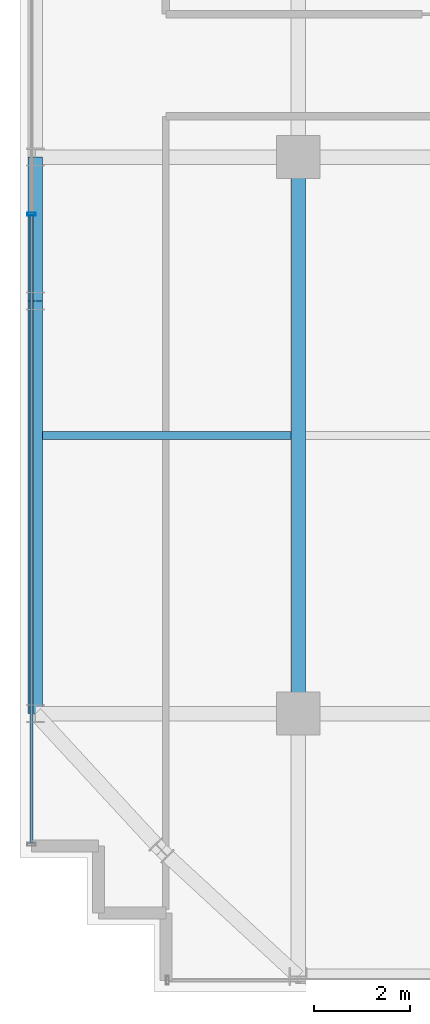
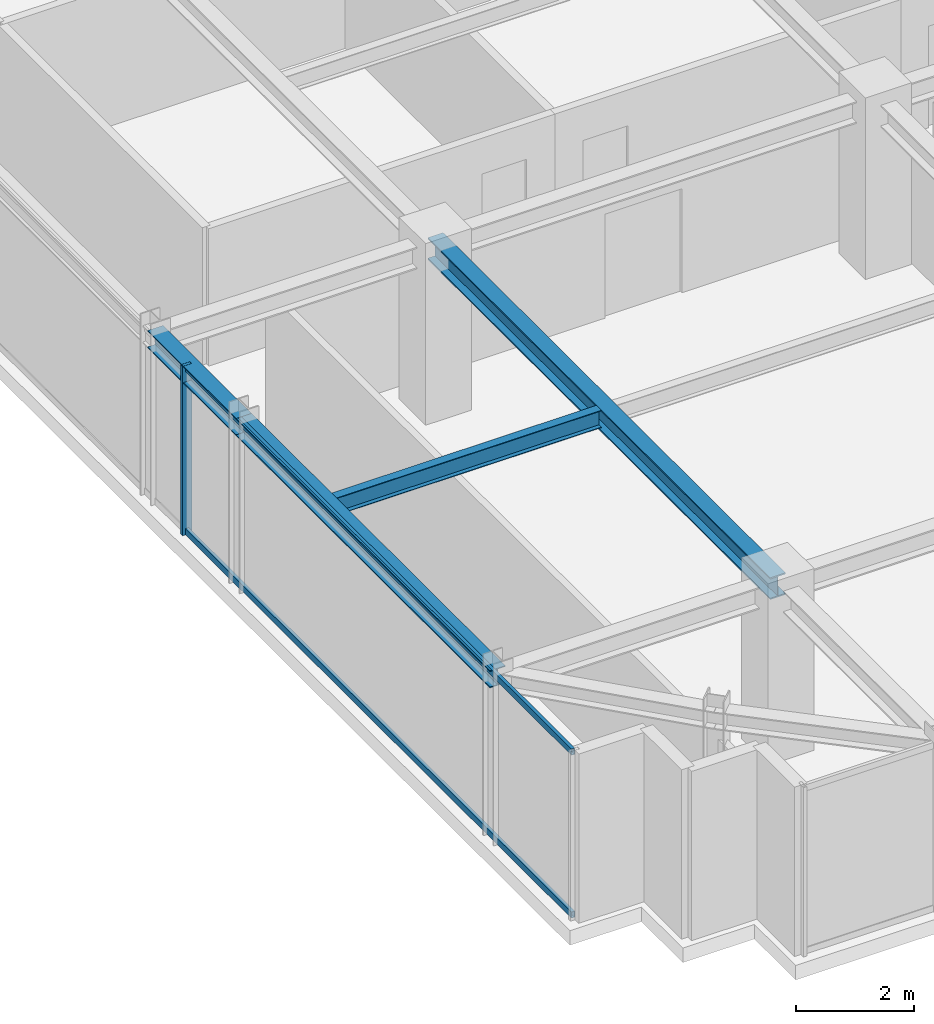
# One storey, part 6 of 31: 4 beams, 3 members, 1 element without a shape of its own.
"""IFC4 building model written with IfcOpenShell, lengths in metres."""

import ifcopenshell
import ifcopenshell.guid

model = None  # the IFC model being written
_history = None  # IfcOwnerHistory: only IFC2X3 demands one
_inside = {}  # id of a spatial element -> (the spatial element, [elements in it])
_under = {}  # id of a project, library or spatial element -> (it, [spatial elements below it])
_declared = {}  # id of a project -> (the project, [libraries it declares])
_typed = {}  # id of a type object -> (the type object, [elements of that type])
_made_of = {}  # id of a material, layer set ... -> (it, [elements and type objects made of it])


def new_model(schema):
    """Start an empty IFC model of exactly this schema.

    Asked for "IFC4X3", IfcOpenShell would pick the latest addendum, in which some entities
    have other attributes; the version numbers below select the first issue.
    IFC2X3 requires an IfcOwnerHistory on every rooted entity: one is made here for all.
    """
    global model, _history
    if schema == "IFC4X3":
        model = ifcopenshell.file(schema_version=(4, 3, 0, 0))
    else:
        model = ifcopenshell.file(schema=schema)
    _inside.clear()
    _under.clear()
    _declared.clear()
    _typed.clear()
    _made_of.clear()
    _history = None
    if model.schema == "IFC2X3":
        org = make("IfcOrganization", Name="unknown")
        user = make(
            "IfcPersonAndOrganization",
            ThePerson=make("IfcPerson", FamilyName="unknown"),
            TheOrganization=org,
        )
        app = make(
            "IfcApplication",
            ApplicationDeveloper=org,
            Version="unknown",
            ApplicationFullName="unknown",
            ApplicationIdentifier="unknown",
        )
        _history = make(
            "IfcOwnerHistory",
            OwningUser=user,
            OwningApplication=app,
            ChangeAction="ADDED",
            CreationDate=0,
        )
    return model


def make(cls, **values):
    """One entity of the class cls with the attributes given. An attribute that is None is left unset."""
    return model.create_entity(
        cls, **{name: value for name, value in values.items() if value is not None}
    )


def rooted(cls, **values):
    """An entity with a GlobalId (a new one), such as an element, a storey or a relation."""
    return make(cls, GlobalId=ifcopenshell.guid.new(), OwnerHistory=_history, **values)


def si_unit(unit_type, name, prefix=None):
    """IfcSIUnit, for example si_unit("LENGTHUNIT", "METRE", prefix="MILLI")."""
    return make("IfcSIUnit", UnitType=unit_type, Prefix=prefix, Name=name)


def assignment(units):
    """IfcUnitAssignment: the units of a project."""
    return None if units is None else make("IfcUnitAssignment", Units=units)


def point(xyz):
    """IfcCartesianPoint."""
    return None if xyz is None else make("IfcCartesianPoint", Coordinates=xyz)


def direction(xyz):
    """IfcDirection."""
    return None if xyz is None else make("IfcDirection", DirectionRatios=xyz)


def frame(location, z_axis=None, x_axis=None):
    """IfcAxis2Placement3D, a coordinate frame: its origin and axes. An axis left out is left unset."""
    return make(
        "IfcAxis2Placement3D",
        Location=point(location),
        Axis=direction(z_axis),
        RefDirection=direction(x_axis),
    )


def frame_2d(location, x_axis=None):
    """IfcAxis2Placement2D, a coordinate frame in the plane: its origin and x axis."""
    return make(
        "IfcAxis2Placement2D", Location=point(location), RefDirection=direction(x_axis)
    )


def origin():
    """The frame at (0, 0, 0) with its axes left unset."""
    return frame((0.0, 0.0, 0.0))


def origin_2d():
    """The frame at (0, 0) in the plane with its x axis left unset."""
    return frame_2d((0.0, 0.0))


def place(relative_to, where):
    """IfcLocalPlacement: puts the frame where relative to a parent placement (None: the world)."""
    return make(
        "IfcLocalPlacement", PlacementRelTo=relative_to, RelativePlacement=where
    )


def context(
    kind, dimensions, precision=None, world=None, true_north=None, identifier=None
):
    """IfcGeometricRepresentationContext, for example the 3D "Model" context."""
    return make(
        "IfcGeometricRepresentationContext",
        ContextIdentifier=identifier,
        ContextType=kind,
        CoordinateSpaceDimension=dimensions,
        Precision=precision,
        WorldCoordinateSystem=world,
        TrueNorth=true_north,
    )


def subcontext(parent, identifier, kind, view, scale=None):
    """IfcGeometricRepresentationSubContext, for example "Body" below "Model"."""
    return make(
        "IfcGeometricRepresentationSubContext",
        ContextIdentifier=identifier,
        ContextType=kind,
        ParentContext=parent,
        TargetScale=scale,
        TargetView=view,
    )


def project(units=None, contexts=None):
    """IfcProject with its units and contexts."""
    return rooted(
        "IfcProject",
        Name="project",
        RepresentationContexts=contexts,
        UnitsInContext=assignment(units),
    )


def spatial(cls, under=None, at=None, **own):
    """A site, building, storey or space (cls), placed at a placement, below another one or the project."""
    s = rooted(cls, ObjectPlacement=at, **own)
    if under is not None:
        _under.setdefault(under.id(), (under, []))[1].append(s)
    return s


def profile(cls, at=None, kind="AREA", **sizes):
    """A parametric profile (cls). Its sizes go by their IFC names, for example OverallWidth=200.0."""
    return make(cls, ProfileType=kind, Position=at, **sizes)


def hollow_rectangle(**sizes):
    """IfcRectangleHollowProfileDef."""
    return profile("IfcRectangleHollowProfileDef", **sizes)


def i_section(**sizes):
    """IfcIShapeProfileDef."""
    return profile("IfcIShapeProfileDef", **sizes)


def extrude(swept, where, along, depth):
    """IfcExtrudedAreaSolid: the profile swept, set in the frame where, extruded along a direction by depth."""
    return make(
        "IfcExtrudedAreaSolid",
        SweptArea=swept,
        Position=where,
        ExtrudedDirection=direction(along),
        Depth=depth,
    )


def shape(context_of_items, identifier, shape_type, items):
    """IfcShapeRepresentation: the items that make up one representation, for example the "Body"."""
    return make(
        "IfcShapeRepresentation",
        ContextOfItems=context_of_items,
        RepresentationIdentifier=identifier,
        RepresentationType=shape_type,
        Items=items,
    )


def source(mapping_origin, context_of_items, identifier, shape_type, items):
    """IfcRepresentationMap: a shape defined once, which mapped items show again and again."""
    return make(
        "IfcRepresentationMap",
        MappingOrigin=mapping_origin,
        MappedRepresentation=shape(context_of_items, identifier, shape_type, items),
    )


def transform(
    local_origin,
    x_axis=None,
    y_axis=None,
    z_axis=None,
    scale=None,
    scale2=None,
    scale3=None,
    uniform=True,
):
    """IfcCartesianTransformationOperator3D, or its non-uniform kind. x_axis, y_axis, z_axis: its Axis1, 2, 3."""
    if uniform:
        return make(
            "IfcCartesianTransformationOperator3D",
            Axis1=direction(x_axis),
            Axis2=direction(y_axis),
            LocalOrigin=point(local_origin),
            Scale=scale,
            Axis3=direction(z_axis),
        )
    return make(
        "IfcCartesianTransformationOperator3DnonUniform",
        Axis1=direction(x_axis),
        Axis2=direction(y_axis),
        LocalOrigin=point(local_origin),
        Scale=scale,
        Axis3=direction(z_axis),
        Scale2=scale2,
        Scale3=scale3,
    )


def mapped(mapping_source, mapping_target):
    """IfcMappedItem: shows the shape of a source again, moved by a transform."""
    return make(
        "IfcMappedItem", MappingSource=mapping_source, MappingTarget=mapping_target
    )


def material(Name=None, Category=None):
    """IfcMaterial."""
    return make("IfcMaterial", Name=Name, Category=Category)


def material_profile(
    of_material, cross_section, Name=None, Category=None, Priority=None
):
    """IfcMaterialProfile: a cross section and its material."""
    return make(
        "IfcMaterialProfile",
        Name=Name,
        Material=of_material,
        Profile=cross_section,
        Priority=Priority,
        Category=Category,
    )


def profile_set(profiles, Name=None, composite=None):
    """IfcMaterialProfileSet."""
    return make(
        "IfcMaterialProfileSet",
        Name=Name,
        MaterialProfiles=profiles,
        CompositeProfile=composite,
    )


def made_of(thing, what):
    """Note that an element or type object is made of a material, layer set ...; save() writes the relation."""
    if what is not None:
        _made_of.setdefault(what.id(), (what, []))[1].append(thing)
    return thing


def type_object(cls, material=None, **own):
    """A type object (cls), such as IfcWallType, which elements share."""
    return made_of(rooted(cls, **own), material)


def element(
    cls,
    number,
    at=None,
    inside=None,
    cuts=None,
    type_object=None,
    material=None,
    context=None,
    identifier="Body",
    shape_type=None,
    held_by="IfcProductDefinitionShape",
    body=None,
    shapes=None,
    **own,
):
    """One element of the class cls, such as IfcWall. Its Tag is "e" and its number.

    at: its placement. inside: the storey or other place that contains it. cuts: it is an
    opening in that element (IfcRelVoidsElement). A single representation is given by context,
    identifier, shape_type and body (its items); several are given by shapes. held_by: the class
    of the entity that holds the representations. save() writes the other relations.
    """
    e = rooted(cls, Tag="e%d" % number, ObjectPlacement=at, **own)
    if body is not None:
        shapes = [shape(context, identifier, shape_type, body)]
    if shapes is not None:
        e.Representation = make(held_by, Representations=shapes)
    if inside is not None:
        _inside.setdefault(inside.id(), (inside, []))[1].append(e)
    if cuts is not None:
        rooted(
            "IfcRelVoidsElement", RelatingBuildingElement=cuts, RelatedOpeningElement=e
        )
    if type_object is not None:
        _typed.setdefault(type_object.id(), (type_object, []))[1].append(e)
    return made_of(e, material)


def aggregate(whole, parts):
    """IfcRelAggregates: a whole, such as a stair, and the parts it consists of."""
    return rooted("IfcRelAggregates", RelatingObject=whole, RelatedObjects=parts)


def save(model, path):
    """Write the relations noted so far, then the file.

    IfcRelAggregates (storeys below a building ...), IfcRelContainedInSpatialStructure (elements
    in a storey), IfcRelDefinesByType, IfcRelAssociatesMaterial and IfcRelDeclares: one each for
    every whole, place, type object, material and project.
    """
    for whole, parts in _under.values():
        aggregate(whole, parts)
    for where, things in _inside.values():
        rooted(
            "IfcRelContainedInSpatialStructure",
            RelatedElements=things,
            RelatingStructure=where,
        )
    for kind, things in _typed.values():
        rooted("IfcRelDefinesByType", RelatedObjects=things, RelatingType=kind)
    for what, things in _made_of.values():
        rooted("IfcRelAssociatesMaterial", RelatedObjects=things, RelatingMaterial=what)
    for by, libraries in _declared.values():
        rooted("IfcRelDeclares", RelatingContext=by, RelatedDefinitions=libraries)
    model.write(path)


model = new_model("IFC4")

# Units and contexts
model_context = context("Model", 3, precision=1e-05, world=origin(), true_north=direction((0.0, 1.0)))
body_context = subcontext(model_context, "Body", "Model", "MODEL_VIEW")
ifc_project = project(units=[si_unit("LENGTHUNIT", "METRE"), si_unit("AREAUNIT", "SQUARE_METRE"), si_unit("VOLUMEUNIT", "CUBIC_METRE"), si_unit("PLANEANGLEUNIT", "RADIAN"), si_unit("MASSUNIT", "GRAM", prefix="KILO")], contexts=[model_context])

# Site, building, storey
site_placement = place(None, origin())
site = spatial("IfcSite", under=ifc_project, at=site_placement, CompositionType="ELEMENT")
building_placement = place(site_placement, origin())
building = spatial("IfcBuilding", under=site, at=building_placement, Name="Nahalor Promenade Grand Hotel", CompositionType="ELEMENT")
storey_placement = place(building_placement, frame((0.0, 0.0, 327.14990234375)))
storey = spatial("IfcBuildingStorey", under=building, at=storey_placement, Name="L84", CompositionType="ELEMENT", Elevation=327.14990234375)

# Beams
ifc_material_1 = material(Name="Steel S355JR", Category="steel")
ifc_material_profile_1 = material_profile(ifc_material_1, i_section(OverallWidth=0.3, OverallDepth=0.45, WebThickness=0.014, FlangeThickness=0.026, at=origin_2d()), Name="HEB 450")
ifc_profile_set_1 = profile_set([ifc_material_profile_1], Name="Steel S355JR")
beam_type_1 = type_object("IfcBeamType", Name="Beam-Girder-HEB450", PredefinedType="BEAM", material=ifc_profile_set_1)
shared_shape_1 = source(origin(), body_context, "Body", "SweptSolid", [
    extrude(i_section(OverallWidth=0.3, OverallDepth=0.45, WebThickness=0.014, FlangeThickness=0.026, at=origin_2d()), origin(), (0.0, 0.0, 1.0), 11.60009765625),
])
beam_1_placement = place(storey_placement, frame((-17.0, -17.0, 3.275146484375), z_axis=(0.0, 1.0, 0.0), x_axis=(-1.0, 0.0, 0.0)))
element("IfcBeam", 1, at=beam_1_placement, inside=storey, type_object=beam_type_1, Name="BM-L84-GY-0-1", PredefinedType="BEAM", context=body_context, shape_type="MappedRepresentation", body=[
    mapped(shared_shape_1, transform((0.0, 0.0, 0.0), scale=1.0)),
])
ifc_material_profile_2 = material_profile(ifc_material_1, i_section(OverallWidth=0.3, OverallDepth=0.36, WebThickness=0.0125, FlangeThickness=0.0225, at=origin_2d()), Name="HEB 360")
ifc_profile_set_2 = profile_set([ifc_material_profile_2], Name="Steel S355JR")
beam_type_2 = type_object("IfcBeamType", Name="Beam-Spandrel-HEB360", PredefinedType="SPANDREL", material=ifc_profile_set_2)
shared_shape_2 = source(origin(), body_context, "Body", "SweptSolid", [
    extrude(i_section(OverallWidth=0.3, OverallDepth=0.36, WebThickness=0.0125, FlangeThickness=0.0225, at=origin_2d()), origin(), (0.0, 0.0, 1.0), 8.60009765625),
])
beam_2_placement = place(storey_placement, frame((-22.47998046875, -17.0, 3.320068359375), z_axis=(0.0, 1.0, 0.0), x_axis=(-1.0, 0.0, 0.0)))
element("IfcBeam", 2, at=beam_2_placement, inside=storey, type_object=beam_type_2, Name="BM-L84-SP-W-0", PredefinedType="SPANDREL", context=body_context, shape_type="MappedRepresentation", body=[
    mapped(shared_shape_2, transform((0.0, 0.0, 0.0), scale=1.0)),
])
shared_shape_3 = source(origin(), body_context, "Body", "SweptSolid", [
    extrude(i_section(OverallWidth=0.3, OverallDepth=0.36, WebThickness=0.0125, FlangeThickness=0.0225, at=origin_2d()), origin(), (0.0, 0.0, 1.0), 3.0),
])
beam_3_placement = place(storey_placement, frame((-22.47998046875, -8.39990234375, 3.320068359375), z_axis=(0.0, 1.0, 0.0), x_axis=(-1.0, 0.0, 0.0)))
element("IfcBeam", 3, at=beam_3_placement, inside=storey, type_object=beam_type_2, Name="BM-L84-SP-W-1", PredefinedType="SPANDREL", context=body_context, shape_type="MappedRepresentation", body=[
    mapped(shared_shape_3, transform((0.0, 0.0, 0.0), scale=1.0)),
])
ifc_material_profile_3 = material_profile(ifc_material_1, i_section(OverallWidth=0.17, OverallDepth=0.36, WebThickness=0.008, FlangeThickness=0.0127, at=origin_2d()), Name="IPE 360")
ifc_profile_set_3 = profile_set([ifc_material_profile_3], Name="Steel S355JR")
beam_type_3 = type_object("IfcBeamType", Name="Beam-Joist-IPE360", PredefinedType="JOIST", material=ifc_profile_set_3)
shared_shape_4 = source(origin(), body_context, "Body", "SweptSolid", [
    extrude(i_section(OverallWidth=0.17, OverallDepth=0.36, WebThickness=0.008, FlangeThickness=0.0127, at=origin_2d()), origin(), (0.0, 0.0, 1.0), 5.18017578125),
])
beam_4_placement = place(storey_placement, frame((-22.330078125, -11.199951171875, 3.320068359375), z_axis=(1.0, 0.0, 0.0), x_axis=(0.0, 1.0, 0.0)))
element("IfcBeam", 4, at=beam_4_placement, inside=storey, type_object=beam_type_3, Name="BM-L84-JSW-0-0", PredefinedType="JOIST", context=body_context, shape_type="MappedRepresentation", body=[
    mapped(shared_shape_4, transform((0.0, 0.0, 0.0), scale=1.0)),
])

# Curtain wall, members
ifc_material_2 = material(Name="Anodised Bronze Aluminium EN AW-6063 T6", Category="aluminium")
curtain_wall_type = type_object("IfcCurtainWallType", Name="CW2 Typical Hotel Flush Bronze Unitised Curtain Wall", PredefinedType="USERDEFINED", material=ifc_material_2)
curtain_wall_placement = place(storey_placement, origin())
curtain_wall = element("IfcCurtainWall", 5, at=curtain_wall_placement, inside=storey, type_object=curtain_wall_type, Name="L84 Curtain Wall CW-L84-W-1", ObjectType="UNITISED_CURTAIN_WALL", PredefinedType="USERDEFINED")
ifc_material_profile_4 = material_profile(ifc_material_2, hollow_rectangle(XDim=0.065, YDim=0.13, WallThickness=0.004, at=origin_2d()), Name="CWT 65x130x4")
ifc_profile_set_4 = profile_set([ifc_material_profile_4], Name="Anodised Bronze Aluminium EN AW-6063 T6")
member_type_1 = type_object("IfcMemberType", Name="CWT2 Typical Bronze Transom 65x130", PredefinedType="USERDEFINED", material=ifc_profile_set_4)
shared_shape_5 = source(origin(), body_context, "Body", "SweptSolid", [
    extrude(hollow_rectangle(XDim=0.065, YDim=0.13, WallThickness=0.004, at=origin_2d()), origin(), (0.0, 0.0, 1.0), 13.075927734375),
])
member_1_placement = place(storey_placement, frame((-22.56005859375, -19.695068359375, 0.065185546875), z_axis=(0.0, 1.0, 0.0), x_axis=(-1.0, 0.0, 0.0)))
member_1 = element("IfcMember", 6, at=member_1_placement, type_object=member_type_1, Name="CW-L84-W-1 Transom 0-0", ObjectType="TRANSOM", PredefinedType="USERDEFINED", context=body_context, shape_type="MappedRepresentation", body=[
    mapped(shared_shape_5, transform((0.0, 0.0, 0.0), scale=1.0)),
])
member_2_placement = place(storey_placement, frame((-22.56005859375, -19.695068359375, 3.43505859375), z_axis=(0.0, 1.0, 0.0), x_axis=(-1.0, 0.0, 0.0)))
member_2 = element("IfcMember", 7, at=member_2_placement, type_object=member_type_1, Name="CW-L84-W-1 Transom 0-1", ObjectType="TRANSOM", PredefinedType="USERDEFINED", context=body_context, shape_type="MappedRepresentation", body=[
    mapped(shared_shape_5, transform((0.0, 0.0, 0.0), scale=1.0)),
])
ifc_material_profile_5 = material_profile(ifc_material_2, hollow_rectangle(XDim=0.065, YDim=0.18, WallThickness=0.004, at=origin_2d()), Name="CWM 65x180x4")
ifc_profile_set_5 = profile_set([ifc_material_profile_5], Name="Anodised Bronze Aluminium EN AW-6063 T6")
member_type_2 = type_object("IfcMemberType", Name="CWM2 Typical Bronze Mullion 65x180", PredefinedType="MULLION", material=ifc_profile_set_5)
shared_shape_6 = source(origin(), body_context, "Body", "SweptSolid", [
    extrude(hollow_rectangle(XDim=0.065, YDim=0.18, WallThickness=0.004, at=origin_2d()), origin(), (0.0, 0.0, 1.0), 3.5),
])
member_3_placement = place(storey_placement, frame((-22.56005859375, -6.586669921875, 0.0), z_axis=(0.0, 0.0, 1.0), x_axis=(0.0, 1.0, 0.0)))
member_3 = element("IfcMember", 8, at=member_3_placement, type_object=member_type_2, Name="CW-L84-W-1 Mullion 1", PredefinedType="MULLION", context=body_context, shape_type="MappedRepresentation", body=[
    mapped(shared_shape_6, transform((0.0, 0.0, 0.0), scale=1.0)),
])
aggregate(curtain_wall, [member_3, member_1, member_2])

save(model, "model.ifc")
